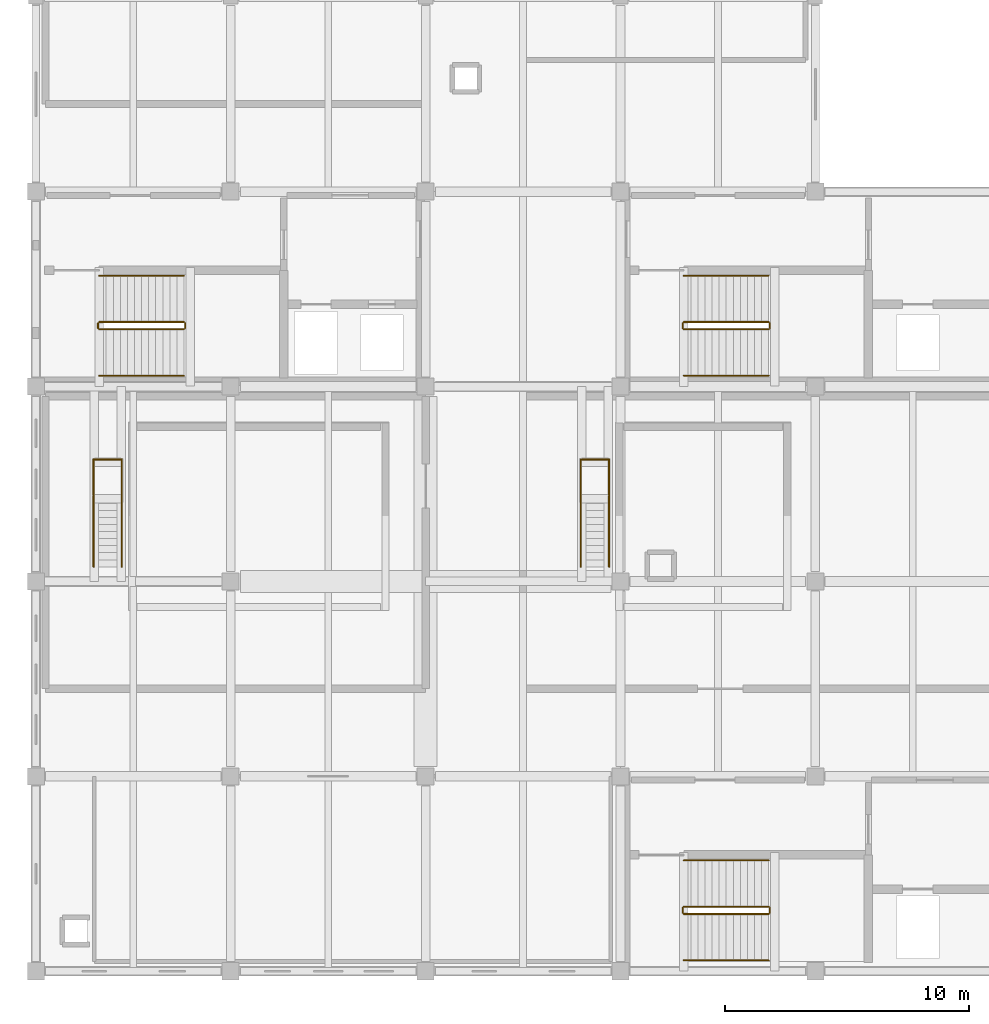
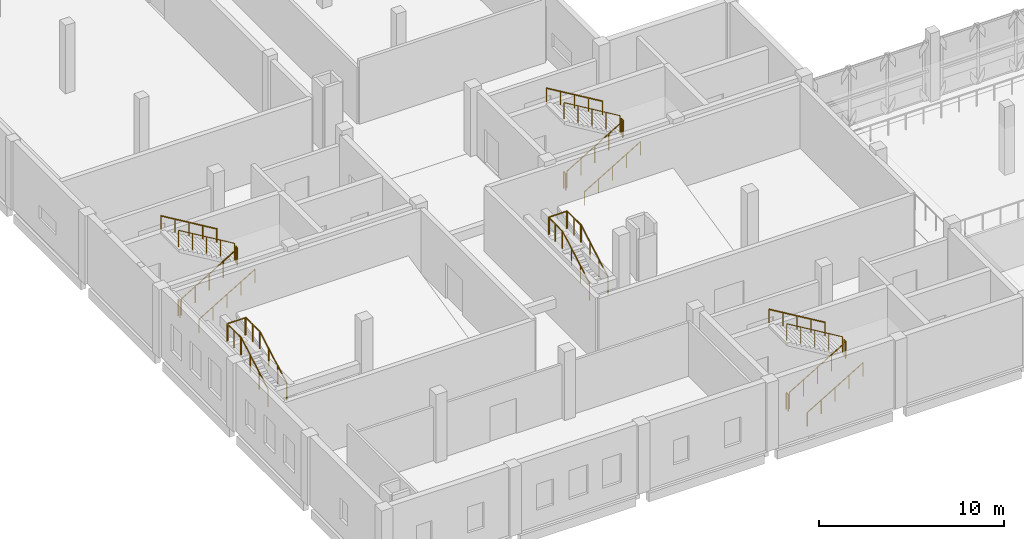
# One storey, part 42 of 43: 28 railings.
"""IFC4 building model written with IfcOpenShell, lengths in metres."""

from ifc_helpers import new_model, si_unit, direction, frame, origin, origin_2d, place, context, subcontext, project, spatial, circle, extrude, material, type_object, element, save


model = new_model("IFC4")

# Units and contexts
model_context = context("Model", 3, precision=1e-05, world=origin(), true_north=direction((0.0, 1.0)))
body_context = subcontext(model_context, "Body", "Model", "MODEL_VIEW")
ifc_project = project(units=[si_unit("LENGTHUNIT", "METRE"), si_unit("AREAUNIT", "SQUARE_METRE"), si_unit("VOLUMEUNIT", "CUBIC_METRE"), si_unit("PLANEANGLEUNIT", "RADIAN"), si_unit("MASSUNIT", "GRAM", prefix="KILO")], contexts=[model_context])

# Site, building, storey
site_placement = place(None, origin())
site = spatial("IfcSite", under=ifc_project, at=site_placement, CompositionType="ELEMENT")
building_placement = place(site_placement, origin())
building = spatial("IfcBuilding", under=site, at=building_placement, Name="Qorikala Patio Media Centre", CompositionType="ELEMENT")
storey_placement = place(building_placement, frame((0.0, 0.0, 18.89990234375)))
storey = spatial("IfcBuildingStorey", under=building, at=storey_placement, Name="L04", CompositionType="ELEMENT", Elevation=18.89990234375)

# Railings
ifc_material_1 = material(Name="Wrought Bronze and Steel S355", Category="steel")
railing_type_1 = type_object("IfcRailingType", Name="RL-GUARD-110", PredefinedType="GUARDRAIL", material=ifc_material_1)
railing_1_placement = place(storey_placement, frame((29.60009765625, 5.35009765625, 0.173095703125)))
element("IfcRailing", 1, at=railing_1_placement, inside=storey, type_object=railing_type_1, Name="L04 ST-1 stair guard 1", PredefinedType="GUARDRAIL", context=body_context, shape_type="SweptSolid", body=[
    extrude(circle(Radius=0.02392578125, at=origin_2d()), frame((0.0, 0.0, 1.076171875), z_axis=(0.858697190188, 0.0, 0.512483302717), x_axis=(0.0, 1.0, 0.0)), (0.0, 0.0, 1.0), 4.052734375),
    extrude(circle(Radius=0.02099609375, at=origin_2d()), origin(), (0.0, 0.0, 1.0), 1.052001953125),
    extrude(circle(Radius=0.02099609375, at=origin_2d()), frame((0.8701171875, 0.0, 0.519287109375)), (0.0, 0.0, 1.0), 1.052001953125),
    extrude(circle(Radius=0.02099609375, at=origin_2d()), frame((1.739990234375, 0.0, 1.03857421875)), (0.0, 0.0, 1.0), 1.052001953125),
    extrude(circle(Radius=0.02099609375, at=origin_2d()), frame((2.60986328125, 0.0, 1.5576171875)), (0.0, 0.0, 1.0), 1.052001953125),
    extrude(circle(Radius=0.02099609375, at=origin_2d()), frame((3.47998046875, 0.0, 2.076904296875)), (0.0, 0.0, 1.0), 1.052001953125),
])
railing_2_placement = place(storey_placement, frame((33.1298828125, 5.39990234375, 2.25)))
element("IfcRailing", 2, at=railing_2_placement, inside=storey, type_object=railing_type_1, Name="L04 ST-1 stair guard 2", PredefinedType="GUARDRAIL", context=body_context, shape_type="SweptSolid", body=[
    extrude(circle(Radius=0.02392578125, at=origin_2d()), frame((0.0, 0.0, 1.076171875), z_axis=(0.0, 1.0, 0.0), x_axis=(-1.0, 0.0, 0.0)), (0.0, 0.0, 1.0), 0.2001953125),
    extrude(circle(Radius=0.02099609375, at=origin_2d()), origin(), (0.0, 0.0, 1.0), 1.052001953125),
    extrude(circle(Radius=0.02099609375, at=origin_2d()), frame((0.0, 0.2001953125, 0.0)), (0.0, 0.0, 1.0), 1.052001953125),
])
railing_3_placement = place(storey_placement, frame((33.080078125, 5.64990234375, 2.423095703125)))
element("IfcRailing", 3, at=railing_3_placement, inside=storey, type_object=railing_type_1, Name="L04 ST-1 stair guard 3", PredefinedType="GUARDRAIL", context=body_context, shape_type="SweptSolid", body=[
    extrude(circle(Radius=0.02392578125, at=origin_2d()), frame((0.0, 0.0, 1.076171875), z_axis=(-0.858697190188, 0.0, 0.512483302717), x_axis=(0.0, -1.0, 0.0)), (0.0, 0.0, 1.0), 4.052734375),
    extrude(circle(Radius=0.02099609375, at=origin_2d()), origin(), (0.0, 0.0, 1.0), 1.052001953125),
    extrude(circle(Radius=0.02099609375, at=origin_2d()), frame((-0.8701171875, 0.0, 0.519287109375)), (0.0, 0.0, 1.0), 1.052001953125),
    extrude(circle(Radius=0.02099609375, at=origin_2d()), frame((-1.739990234375, 0.0, 1.03857421875)), (0.0, 0.0, 1.0), 1.052001953125),
    extrude(circle(Radius=0.02099609375, at=origin_2d()), frame((-2.60986328125, 0.0, 1.5576171875)), (0.0, 0.0, 1.0), 1.052001953125),
    extrude(circle(Radius=0.02099609375, at=origin_2d()), frame((-3.47998046875, 0.0, 2.076904296875)), (0.0, 0.0, 1.0), 1.052001953125),
])
railing_4_placement = place(storey_placement, frame((29.550048828125, 5.39990234375, 0.0)))
element("IfcRailing", 4, at=railing_4_placement, inside=storey, type_object=railing_type_1, Name="L04 ST-1 stair guard 4", PredefinedType="GUARDRAIL", context=body_context, shape_type="SweptSolid", body=[
    extrude(circle(Radius=0.02392578125, at=origin_2d()), frame((0.0, 0.0, 1.076171875), z_axis=(0.0, 1.0, 0.0), x_axis=(-1.0, 0.0, 0.0)), (0.0, 0.0, 1.0), 0.2001953125),
    extrude(circle(Radius=0.02099609375, at=origin_2d()), origin(), (0.0, 0.0, 1.0), 1.052001953125),
    extrude(circle(Radius=0.02099609375, at=origin_2d()), frame((0.0, 0.2001953125, 0.0)), (0.0, 0.0, 1.0), 1.052001953125),
])
railing_5_placement = place(storey_placement, frame((5.60009765625, 29.35009765625, 0.173095703125)))
element("IfcRailing", 5, at=railing_5_placement, inside=storey, type_object=railing_type_1, Name="L04 ST-2 stair guard 1", PredefinedType="GUARDRAIL", context=body_context, shape_type="SweptSolid", body=[
    extrude(circle(Radius=0.02392578125, at=origin_2d()), frame((0.0, 0.0, 1.076171875), z_axis=(0.858697190188, 0.0, 0.512483302717), x_axis=(0.0, 1.0, 0.0)), (0.0, 0.0, 1.0), 4.052734375),
    extrude(circle(Radius=0.02099609375, at=origin_2d()), origin(), (0.0, 0.0, 1.0), 1.052001953125),
    extrude(circle(Radius=0.02099609375, at=origin_2d()), frame((0.8701171875, 0.0, 0.519287109375)), (0.0, 0.0, 1.0), 1.052001953125),
    extrude(circle(Radius=0.02099609375, at=origin_2d()), frame((1.739990234375, 0.0, 1.03857421875)), (0.0, 0.0, 1.0), 1.052001953125),
    extrude(circle(Radius=0.02099609375, at=origin_2d()), frame((2.60986328125, 0.0, 1.5576171875)), (0.0, 0.0, 1.0), 1.052001953125),
    extrude(circle(Radius=0.02099609375, at=origin_2d()), frame((3.47998046875, 0.0, 2.076904296875)), (0.0, 0.0, 1.0), 1.052001953125),
])
railing_6_placement = place(storey_placement, frame((9.1298828125, 29.39990234375, 2.25)))
element("IfcRailing", 6, at=railing_6_placement, inside=storey, type_object=railing_type_1, Name="L04 ST-2 stair guard 2", PredefinedType="GUARDRAIL", context=body_context, shape_type="SweptSolid", body=[
    extrude(circle(Radius=0.02392578125, at=origin_2d()), frame((0.0, 0.0, 1.076171875), z_axis=(0.0, 1.0, 0.0), x_axis=(-1.0, 0.0, 0.0)), (0.0, 0.0, 1.0), 0.2001953125),
    extrude(circle(Radius=0.02099609375, at=origin_2d()), origin(), (0.0, 0.0, 1.0), 1.052001953125),
    extrude(circle(Radius=0.02099609375, at=origin_2d()), frame((0.0, 0.2001953125, 0.0)), (0.0, 0.0, 1.0), 1.052001953125),
])
railing_7_placement = place(storey_placement, frame((9.080078125, 29.64990234375, 2.423095703125)))
element("IfcRailing", 7, at=railing_7_placement, inside=storey, type_object=railing_type_1, Name="L04 ST-2 stair guard 3", PredefinedType="GUARDRAIL", context=body_context, shape_type="SweptSolid", body=[
    extrude(circle(Radius=0.02392578125, at=origin_2d()), frame((0.0, 0.0, 1.076171875), z_axis=(-0.858697190188, 0.0, 0.512483302717), x_axis=(0.0, -1.0, 0.0)), (0.0, 0.0, 1.0), 4.052734375),
    extrude(circle(Radius=0.02099609375, at=origin_2d()), origin(), (0.0, 0.0, 1.0), 1.052001953125),
    extrude(circle(Radius=0.02099609375, at=origin_2d()), frame((-0.8701171875, 0.0, 0.519287109375)), (0.0, 0.0, 1.0), 1.052001953125),
    extrude(circle(Radius=0.02099609375, at=origin_2d()), frame((-1.739990234375, 0.0, 1.03857421875)), (0.0, 0.0, 1.0), 1.052001953125),
    extrude(circle(Radius=0.02099609375, at=origin_2d()), frame((-2.60986328125, 0.0, 1.5576171875)), (0.0, 0.0, 1.0), 1.052001953125),
    extrude(circle(Radius=0.02099609375, at=origin_2d()), frame((-3.47998046875, 0.0, 2.076904296875)), (0.0, 0.0, 1.0), 1.052001953125),
])
railing_8_placement = place(storey_placement, frame((5.550048828125, 29.39990234375, 0.0)))
element("IfcRailing", 8, at=railing_8_placement, inside=storey, type_object=railing_type_1, Name="L04 ST-2 stair guard 4", PredefinedType="GUARDRAIL", context=body_context, shape_type="SweptSolid", body=[
    extrude(circle(Radius=0.02392578125, at=origin_2d()), frame((0.0, 0.0, 1.076171875), z_axis=(0.0, 1.0, 0.0), x_axis=(-1.0, 0.0, 0.0)), (0.0, 0.0, 1.0), 0.2001953125),
    extrude(circle(Radius=0.02099609375, at=origin_2d()), origin(), (0.0, 0.0, 1.0), 1.052001953125),
    extrude(circle(Radius=0.02099609375, at=origin_2d()), frame((0.0, 0.2001953125, 0.0)), (0.0, 0.0, 1.0), 1.052001953125),
])
railing_9_placement = place(storey_placement, frame((29.60009765625, 29.35009765625, 0.173095703125)))
element("IfcRailing", 9, at=railing_9_placement, inside=storey, type_object=railing_type_1, Name="L04 ST-5 stair guard 1", PredefinedType="GUARDRAIL", context=body_context, shape_type="SweptSolid", body=[
    extrude(circle(Radius=0.02392578125, at=origin_2d()), frame((0.0, 0.0, 1.076171875), z_axis=(0.858697190188, 0.0, 0.512483302717), x_axis=(0.0, 1.0, 0.0)), (0.0, 0.0, 1.0), 4.052734375),
    extrude(circle(Radius=0.02099609375, at=origin_2d()), origin(), (0.0, 0.0, 1.0), 1.052001953125),
    extrude(circle(Radius=0.02099609375, at=origin_2d()), frame((0.8701171875, 0.0, 0.519287109375)), (0.0, 0.0, 1.0), 1.052001953125),
    extrude(circle(Radius=0.02099609375, at=origin_2d()), frame((1.739990234375, 0.0, 1.03857421875)), (0.0, 0.0, 1.0), 1.052001953125),
    extrude(circle(Radius=0.02099609375, at=origin_2d()), frame((2.60986328125, 0.0, 1.5576171875)), (0.0, 0.0, 1.0), 1.052001953125),
    extrude(circle(Radius=0.02099609375, at=origin_2d()), frame((3.47998046875, 0.0, 2.076904296875)), (0.0, 0.0, 1.0), 1.052001953125),
])
railing_10_placement = place(storey_placement, frame((33.1298828125, 29.39990234375, 2.25)))
element("IfcRailing", 10, at=railing_10_placement, inside=storey, type_object=railing_type_1, Name="L04 ST-5 stair guard 2", PredefinedType="GUARDRAIL", context=body_context, shape_type="SweptSolid", body=[
    extrude(circle(Radius=0.02392578125, at=origin_2d()), frame((0.0, 0.0, 1.076171875), z_axis=(0.0, 1.0, 0.0), x_axis=(-1.0, 0.0, 0.0)), (0.0, 0.0, 1.0), 0.2001953125),
    extrude(circle(Radius=0.02099609375, at=origin_2d()), origin(), (0.0, 0.0, 1.0), 1.052001953125),
    extrude(circle(Radius=0.02099609375, at=origin_2d()), frame((0.0, 0.2001953125, 0.0)), (0.0, 0.0, 1.0), 1.052001953125),
])
railing_11_placement = place(storey_placement, frame((33.080078125, 29.64990234375, 2.423095703125)))
element("IfcRailing", 11, at=railing_11_placement, inside=storey, type_object=railing_type_1, Name="L04 ST-5 stair guard 3", PredefinedType="GUARDRAIL", context=body_context, shape_type="SweptSolid", body=[
    extrude(circle(Radius=0.02392578125, at=origin_2d()), frame((0.0, 0.0, 1.076171875), z_axis=(-0.858697190188, 0.0, 0.512483302717), x_axis=(0.0, -1.0, 0.0)), (0.0, 0.0, 1.0), 4.052734375),
    extrude(circle(Radius=0.02099609375, at=origin_2d()), origin(), (0.0, 0.0, 1.0), 1.052001953125),
    extrude(circle(Radius=0.02099609375, at=origin_2d()), frame((-0.8701171875, 0.0, 0.519287109375)), (0.0, 0.0, 1.0), 1.052001953125),
    extrude(circle(Radius=0.02099609375, at=origin_2d()), frame((-1.739990234375, 0.0, 1.03857421875)), (0.0, 0.0, 1.0), 1.052001953125),
    extrude(circle(Radius=0.02099609375, at=origin_2d()), frame((-2.60986328125, 0.0, 1.5576171875)), (0.0, 0.0, 1.0), 1.052001953125),
    extrude(circle(Radius=0.02099609375, at=origin_2d()), frame((-3.47998046875, 0.0, 2.076904296875)), (0.0, 0.0, 1.0), 1.052001953125),
])
railing_12_placement = place(storey_placement, frame((29.550048828125, 29.39990234375, 0.0)))
element("IfcRailing", 12, at=railing_12_placement, inside=storey, type_object=railing_type_1, Name="L04 ST-5 stair guard 4", PredefinedType="GUARDRAIL", context=body_context, shape_type="SweptSolid", body=[
    extrude(circle(Radius=0.02392578125, at=origin_2d()), frame((0.0, 0.0, 1.076171875), z_axis=(0.0, 1.0, 0.0), x_axis=(-1.0, 0.0, 0.0)), (0.0, 0.0, 1.0), 0.2001953125),
    extrude(circle(Radius=0.02099609375, at=origin_2d()), origin(), (0.0, 0.0, 1.0), 1.052001953125),
    extrude(circle(Radius=0.02099609375, at=origin_2d()), frame((0.0, 0.2001953125, 0.0)), (0.0, 0.0, 1.0), 1.052001953125),
])
ifc_material_2 = material(Name="Brushed Bronze Tubular Steel S355", Category="steel")
railing_type_2 = type_object("IfcRailingType", Name="RL-HAND-090", PredefinedType="HANDRAIL", material=ifc_material_2)
railing_13_placement = place(storey_placement, frame((29.60009765625, 3.449951171875, 0.173095703125)))
element("IfcRailing", 13, at=railing_13_placement, inside=storey, type_object=railing_type_2, Name="L04 ST-1 stair handrail 1", PredefinedType="HANDRAIL", context=body_context, shape_type="SweptSolid", body=[
    extrude(circle(Radius=0.02392578125, at=origin_2d()), frame((0.0, 0.0, 0.8759765625), z_axis=(0.858697190188, 0.0, 0.512483302717), x_axis=(0.0, 1.0, 0.0)), (0.0, 0.0, 1.0), 4.052734375),
    extrude(circle(Radius=0.02099609375, at=origin_2d()), origin(), (0.0, 0.0, 1.0), 0.851806640625),
    extrude(circle(Radius=0.02099609375, at=origin_2d()), frame((0.8701171875, 0.0, 0.519287109375)), (0.0, 0.0, 1.0), 0.851806640625),
    extrude(circle(Radius=0.02099609375, at=origin_2d()), frame((1.739990234375, 0.0, 1.03857421875)), (0.0, 0.0, 1.0), 0.851806640625),
    extrude(circle(Radius=0.02099609375, at=origin_2d()), frame((2.60986328125, 0.0, 1.5576171875)), (0.0, 0.0, 1.0), 0.851806640625),
    extrude(circle(Radius=0.02099609375, at=origin_2d()), frame((3.47998046875, 0.0, 2.076904296875)), (0.0, 0.0, 1.0), 0.851806640625),
])
railing_14_placement = place(storey_placement, frame((33.080078125, 7.550048828125, 2.423095703125)))
element("IfcRailing", 14, at=railing_14_placement, inside=storey, type_object=railing_type_2, Name="L04 ST-1 stair handrail 2", PredefinedType="HANDRAIL", context=body_context, shape_type="SweptSolid", body=[
    extrude(circle(Radius=0.02392578125, at=origin_2d()), frame((0.0, 0.0, 0.8759765625), z_axis=(-0.858697190188, 0.0, 0.512483302717), x_axis=(0.0, -1.0, 0.0)), (0.0, 0.0, 1.0), 4.052734375),
    extrude(circle(Radius=0.02099609375, at=origin_2d()), origin(), (0.0, 0.0, 1.0), 0.851806640625),
    extrude(circle(Radius=0.02099609375, at=origin_2d()), frame((-0.8701171875, 0.0, 0.519287109375)), (0.0, 0.0, 1.0), 0.851806640625),
    extrude(circle(Radius=0.02099609375, at=origin_2d()), frame((-1.739990234375, 0.0, 1.03857421875)), (0.0, 0.0, 1.0), 0.851806640625),
    extrude(circle(Radius=0.02099609375, at=origin_2d()), frame((-2.60986328125, 0.0, 1.5576171875)), (0.0, 0.0, 1.0), 0.851806640625),
    extrude(circle(Radius=0.02099609375, at=origin_2d()), frame((-3.47998046875, 0.0, 2.076904296875)), (0.0, 0.0, 1.0), 0.851806640625),
])
railing_15_placement = place(storey_placement, frame((5.60009765625, 27.449951171875, 0.173095703125)))
element("IfcRailing", 15, at=railing_15_placement, inside=storey, type_object=railing_type_2, Name="L04 ST-2 stair handrail 1", PredefinedType="HANDRAIL", context=body_context, shape_type="SweptSolid", body=[
    extrude(circle(Radius=0.02392578125, at=origin_2d()), frame((0.0, 0.0, 0.8759765625), z_axis=(0.858697190188, 0.0, 0.512483302717), x_axis=(0.0, 1.0, 0.0)), (0.0, 0.0, 1.0), 4.052734375),
    extrude(circle(Radius=0.02099609375, at=origin_2d()), origin(), (0.0, 0.0, 1.0), 0.851806640625),
    extrude(circle(Radius=0.02099609375, at=origin_2d()), frame((0.8701171875, 0.0, 0.519287109375)), (0.0, 0.0, 1.0), 0.851806640625),
    extrude(circle(Radius=0.02099609375, at=origin_2d()), frame((1.739990234375, 0.0, 1.03857421875)), (0.0, 0.0, 1.0), 0.851806640625),
    extrude(circle(Radius=0.02099609375, at=origin_2d()), frame((2.60986328125, 0.0, 1.5576171875)), (0.0, 0.0, 1.0), 0.851806640625),
    extrude(circle(Radius=0.02099609375, at=origin_2d()), frame((3.47998046875, 0.0, 2.076904296875)), (0.0, 0.0, 1.0), 0.851806640625),
])
railing_16_placement = place(storey_placement, frame((9.080078125, 31.550048828125, 2.423095703125)))
element("IfcRailing", 16, at=railing_16_placement, inside=storey, type_object=railing_type_2, Name="L04 ST-2 stair handrail 2", PredefinedType="HANDRAIL", context=body_context, shape_type="SweptSolid", body=[
    extrude(circle(Radius=0.02392578125, at=origin_2d()), frame((0.0, 0.0, 0.8759765625), z_axis=(-0.858697190188, 0.0, 0.512483302717), x_axis=(0.0, -1.0, 0.0)), (0.0, 0.0, 1.0), 4.052734375),
    extrude(circle(Radius=0.02099609375, at=origin_2d()), origin(), (0.0, 0.0, 1.0), 0.851806640625),
    extrude(circle(Radius=0.02099609375, at=origin_2d()), frame((-0.8701171875, 0.0, 0.519287109375)), (0.0, 0.0, 1.0), 0.851806640625),
    extrude(circle(Radius=0.02099609375, at=origin_2d()), frame((-1.739990234375, 0.0, 1.03857421875)), (0.0, 0.0, 1.0), 0.851806640625),
    extrude(circle(Radius=0.02099609375, at=origin_2d()), frame((-2.60986328125, 0.0, 1.5576171875)), (0.0, 0.0, 1.0), 0.851806640625),
    extrude(circle(Radius=0.02099609375, at=origin_2d()), frame((-3.47998046875, 0.0, 2.076904296875)), (0.0, 0.0, 1.0), 0.851806640625),
])
railing_17_placement = place(storey_placement, frame((29.60009765625, 27.449951171875, 0.173095703125)))
element("IfcRailing", 17, at=railing_17_placement, inside=storey, type_object=railing_type_2, Name="L04 ST-5 stair handrail 1", PredefinedType="HANDRAIL", context=body_context, shape_type="SweptSolid", body=[
    extrude(circle(Radius=0.02392578125, at=origin_2d()), frame((0.0, 0.0, 0.8759765625), z_axis=(0.858697190188, 0.0, 0.512483302717), x_axis=(0.0, 1.0, 0.0)), (0.0, 0.0, 1.0), 4.052734375),
    extrude(circle(Radius=0.02099609375, at=origin_2d()), origin(), (0.0, 0.0, 1.0), 0.851806640625),
    extrude(circle(Radius=0.02099609375, at=origin_2d()), frame((0.8701171875, 0.0, 0.519287109375)), (0.0, 0.0, 1.0), 0.851806640625),
    extrude(circle(Radius=0.02099609375, at=origin_2d()), frame((1.739990234375, 0.0, 1.03857421875)), (0.0, 0.0, 1.0), 0.851806640625),
    extrude(circle(Radius=0.02099609375, at=origin_2d()), frame((2.60986328125, 0.0, 1.5576171875)), (0.0, 0.0, 1.0), 0.851806640625),
    extrude(circle(Radius=0.02099609375, at=origin_2d()), frame((3.47998046875, 0.0, 2.076904296875)), (0.0, 0.0, 1.0), 0.851806640625),
])
railing_18_placement = place(storey_placement, frame((33.080078125, 31.550048828125, 2.423095703125)))
element("IfcRailing", 18, at=railing_18_placement, inside=storey, type_object=railing_type_2, Name="L04 ST-5 stair handrail 2", PredefinedType="HANDRAIL", context=body_context, shape_type="SweptSolid", body=[
    extrude(circle(Radius=0.02392578125, at=origin_2d()), frame((0.0, 0.0, 0.8759765625), z_axis=(-0.858697190188, 0.0, 0.512483302717), x_axis=(0.0, -1.0, 0.0)), (0.0, 0.0, 1.0), 4.052734375),
    extrude(circle(Radius=0.02099609375, at=origin_2d()), origin(), (0.0, 0.0, 1.0), 0.851806640625),
    extrude(circle(Radius=0.02099609375, at=origin_2d()), frame((-0.8701171875, 0.0, 0.519287109375)), (0.0, 0.0, 1.0), 0.851806640625),
    extrude(circle(Radius=0.02099609375, at=origin_2d()), frame((-1.739990234375, 0.0, 1.03857421875)), (0.0, 0.0, 1.0), 0.851806640625),
    extrude(circle(Radius=0.02099609375, at=origin_2d()), frame((-2.60986328125, 0.0, 1.5576171875)), (0.0, 0.0, 1.0), 0.851806640625),
    extrude(circle(Radius=0.02099609375, at=origin_2d()), frame((-3.47998046875, 0.0, 2.076904296875)), (0.0, 0.0, 1.0), 0.851806640625),
])
ifc_material_3 = material(Name="Wrought Bronze Baluster Guardrail")
railing_type_3 = type_object("IfcRailingType", Name="RL-TERR-115", PredefinedType="GUARDRAIL", material=ifc_material_3)
for number, where, name in (
    (19, (5.3701171875, 19.60009765625, 0.163818359375), "Vomitory Stair VS-05 Flight Guard L"),
    (20, (6.530029296875, 19.60009765625, 0.163818359375), "Vomitory Stair VS-05 Flight Guard R"),
):
    element("IfcRailing", number, at=place(storey_placement, frame(where)), inside=storey, type_object=railing_type_3, Name=name, PredefinedType="GUARDRAIL", context=body_context, shape_type="SweptSolid", body=[
        extrude(circle(Radius=0.02392578125, at=origin_2d()), frame((0.0, 0.0, 1.1259765625), z_axis=(0.0, 0.870928581787, 0.491409610636), x_axis=(-1.0, 0.0, 0.0)), (0.0, 0.0, 1.0), 3.32958984375),
        extrude(circle(Radius=0.02099609375, at=origin_2d()), origin(), (0.0, 0.0, 1.0), 1.101806640625),
        extrude(circle(Radius=0.02099609375, at=origin_2d()), frame((0.0, 0.966552734375, 0.54541015625)), (0.0, 0.0, 1.0), 1.101806640625),
        extrude(circle(Radius=0.02099609375, at=origin_2d()), frame((0.0, 1.933349609375, 1.0908203125)), (0.0, 0.0, 1.0), 1.101806640625),
        extrude(circle(Radius=0.02099609375, at=origin_2d()), frame((0.0, 2.89990234375, 1.63623046875)), (0.0, 0.0, 1.0), 1.101806640625),
    ])
railing_19_placement = place(storey_placement, frame((5.3701171875, 22.5400390625, 1.800048828125)))
element("IfcRailing", 21, at=railing_19_placement, inside=storey, type_object=railing_type_3, Name="Vomitory VS-05 Landing Guard W", PredefinedType="GUARDRAIL", context=body_context, shape_type="SweptSolid", body=[
    extrude(circle(Radius=0.02392578125, at=origin_2d()), frame((0.0, 0.0, 1.1259765625), z_axis=(0.0, 1.0, 0.0), x_axis=(-1.0, 0.0, 0.0)), (0.0, 0.0, 1.0), 1.469970703125),
    extrude(circle(Radius=0.02099609375, at=origin_2d()), origin(), (0.0, 0.0, 1.0), 1.101806640625),
    extrude(circle(Radius=0.02099609375, at=origin_2d()), frame((0.0, 0.73486328125, 0.0)), (0.0, 0.0, 1.0), 1.101806640625),
    extrude(circle(Radius=0.02099609375, at=origin_2d()), frame((0.0, 1.469970703125, 0.0)), (0.0, 0.0, 1.0), 1.101806640625),
])
railing_20_placement = place(storey_placement, frame((5.409912109375, 24.010009765625, 1.800048828125)))
element("IfcRailing", 22, at=railing_20_placement, inside=storey, type_object=railing_type_3, Name="Vomitory VS-05 Landing Guard N", PredefinedType="GUARDRAIL", context=body_context, shape_type="SweptSolid", body=[
    extrude(circle(Radius=0.02392578125, at=origin_2d()), frame((0.0, 0.0, 1.1259765625), z_axis=(1.0, 0.0, 0.0), x_axis=(0.0, 1.0, 0.0)), (0.0, 0.0, 1.0), 1.080078125),
    extrude(circle(Radius=0.02099609375, at=origin_2d()), origin(), (0.0, 0.0, 1.0), 1.101806640625),
    extrude(circle(Radius=0.02099609375, at=origin_2d()), frame((1.080078125, 0.0, 0.0)), (0.0, 0.0, 1.0), 1.101806640625),
])
railing_21_placement = place(storey_placement, frame((6.530029296875, 24.010009765625, 1.800048828125)))
element("IfcRailing", 23, at=railing_21_placement, inside=storey, type_object=railing_type_3, Name="Vomitory VS-05 Landing Guard E", PredefinedType="GUARDRAIL", context=body_context, shape_type="SweptSolid", body=[
    extrude(circle(Radius=0.02392578125, at=origin_2d()), frame((0.0, 0.0, 1.1259765625), z_axis=(0.0, -1.0, 0.0), x_axis=(1.0, 0.0, 0.0)), (0.0, 0.0, 1.0), 1.469970703125),
    extrude(circle(Radius=0.02099609375, at=origin_2d()), origin(), (0.0, 0.0, 1.0), 1.101806640625),
    extrude(circle(Radius=0.02099609375, at=origin_2d()), frame((0.0, -0.73486328125, 0.0)), (0.0, 0.0, 1.0), 1.101806640625),
    extrude(circle(Radius=0.02099609375, at=origin_2d()), frame((0.0, -1.469970703125, 0.0)), (0.0, 0.0, 1.0), 1.101806640625),
])
for number, where, name in (
    (24, (25.3701171875, 19.60009765625, 0.163818359375), "Vomitory Stair VS-06 Flight Guard L"),
    (25, (26.530029296875, 19.60009765625, 0.163818359375), "Vomitory Stair VS-06 Flight Guard R"),
):
    element("IfcRailing", number, at=place(storey_placement, frame(where)), inside=storey, type_object=railing_type_3, Name=name, PredefinedType="GUARDRAIL", context=body_context, shape_type="SweptSolid", body=[
        extrude(circle(Radius=0.02392578125, at=origin_2d()), frame((0.0, 0.0, 1.1259765625), z_axis=(0.0, 0.870928581787, 0.491409610636), x_axis=(-1.0, 0.0, 0.0)), (0.0, 0.0, 1.0), 3.32958984375),
        extrude(circle(Radius=0.02099609375, at=origin_2d()), origin(), (0.0, 0.0, 1.0), 1.101806640625),
        extrude(circle(Radius=0.02099609375, at=origin_2d()), frame((0.0, 0.966552734375, 0.54541015625)), (0.0, 0.0, 1.0), 1.101806640625),
        extrude(circle(Radius=0.02099609375, at=origin_2d()), frame((0.0, 1.933349609375, 1.0908203125)), (0.0, 0.0, 1.0), 1.101806640625),
        extrude(circle(Radius=0.02099609375, at=origin_2d()), frame((0.0, 2.89990234375, 1.63623046875)), (0.0, 0.0, 1.0), 1.101806640625),
    ])
railing_22_placement = place(storey_placement, frame((25.3701171875, 22.5400390625, 1.800048828125)))
element("IfcRailing", 26, at=railing_22_placement, inside=storey, type_object=railing_type_3, Name="Vomitory VS-06 Landing Guard W", PredefinedType="GUARDRAIL", context=body_context, shape_type="SweptSolid", body=[
    extrude(circle(Radius=0.02392578125, at=origin_2d()), frame((0.0, 0.0, 1.1259765625), z_axis=(0.0, 1.0, 0.0), x_axis=(-1.0, 0.0, 0.0)), (0.0, 0.0, 1.0), 1.469970703125),
    extrude(circle(Radius=0.02099609375, at=origin_2d()), origin(), (0.0, 0.0, 1.0), 1.101806640625),
    extrude(circle(Radius=0.02099609375, at=origin_2d()), frame((0.0, 0.73486328125, 0.0)), (0.0, 0.0, 1.0), 1.101806640625),
    extrude(circle(Radius=0.02099609375, at=origin_2d()), frame((0.0, 1.469970703125, 0.0)), (0.0, 0.0, 1.0), 1.101806640625),
])
railing_23_placement = place(storey_placement, frame((25.409912109375, 24.010009765625, 1.800048828125)))
element("IfcRailing", 27, at=railing_23_placement, inside=storey, type_object=railing_type_3, Name="Vomitory VS-06 Landing Guard N", PredefinedType="GUARDRAIL", context=body_context, shape_type="SweptSolid", body=[
    extrude(circle(Radius=0.02392578125, at=origin_2d()), frame((0.0, 0.0, 1.1259765625), z_axis=(1.0, 0.0, 0.0), x_axis=(0.0, 1.0, 0.0)), (0.0, 0.0, 1.0), 1.080078125),
    extrude(circle(Radius=0.02099609375, at=origin_2d()), origin(), (0.0, 0.0, 1.0), 1.101806640625),
    extrude(circle(Radius=0.02099609375, at=origin_2d()), frame((1.080078125, 0.0, 0.0)), (0.0, 0.0, 1.0), 1.101806640625),
])
railing_24_placement = place(storey_placement, frame((26.530029296875, 24.010009765625, 1.800048828125)))
element("IfcRailing", 28, at=railing_24_placement, inside=storey, type_object=railing_type_3, Name="Vomitory VS-06 Landing Guard E", PredefinedType="GUARDRAIL", context=body_context, shape_type="SweptSolid", body=[
    extrude(circle(Radius=0.02392578125, at=origin_2d()), frame((0.0, 0.0, 1.1259765625), z_axis=(0.0, -1.0, 0.0), x_axis=(1.0, 0.0, 0.0)), (0.0, 0.0, 1.0), 1.469970703125),
    extrude(circle(Radius=0.02099609375, at=origin_2d()), origin(), (0.0, 0.0, 1.0), 1.101806640625),
    extrude(circle(Radius=0.02099609375, at=origin_2d()), frame((0.0, -0.73486328125, 0.0)), (0.0, 0.0, 1.0), 1.101806640625),
    extrude(circle(Radius=0.02099609375, at=origin_2d()), frame((0.0, -1.469970703125, 0.0)), (0.0, 0.0, 1.0), 1.101806640625),
])

save(model, "model.ifc")
